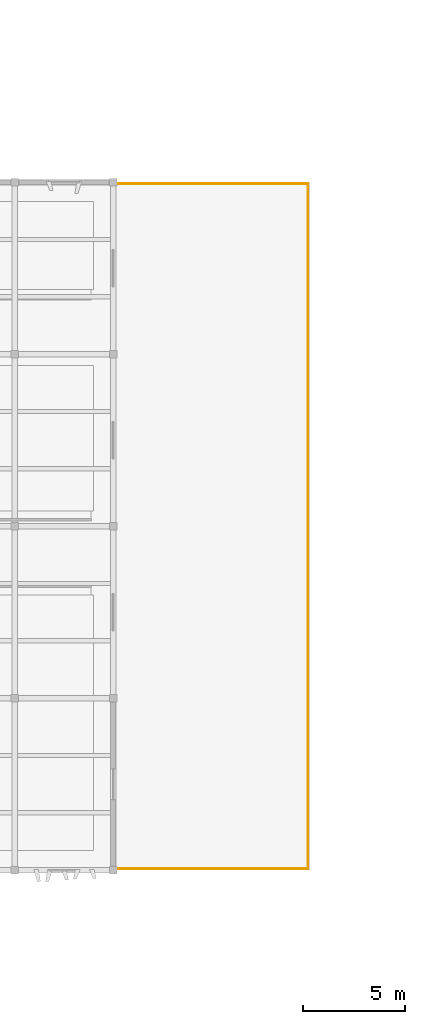
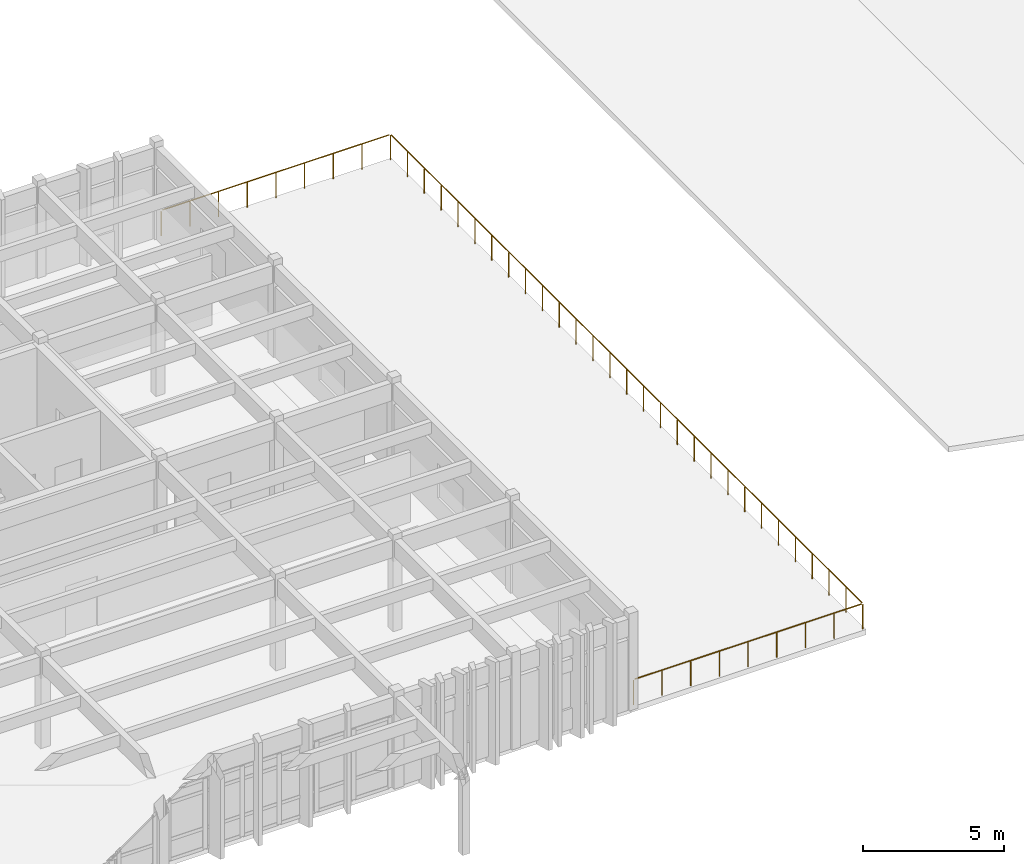
# One storey, part 42 of 42: 3 railings.
"""IFC4 building model written with IfcOpenShell, lengths in metres."""

from ifc_helpers import new_model, si_unit, direction, frame, origin, origin_2d, place, context, subcontext, project, spatial, circle, extrude, material, type_object, element, save


model = new_model("IFC4")

# Units and contexts
model_context = context("Model", 3, precision=1e-05, world=origin(), true_north=direction((0.0, 1.0)))
body_context = subcontext(model_context, "Body", "Model", "MODEL_VIEW")
ifc_project = project(units=[si_unit("LENGTHUNIT", "METRE"), si_unit("AREAUNIT", "SQUARE_METRE"), si_unit("VOLUMEUNIT", "CUBIC_METRE"), si_unit("PLANEANGLEUNIT", "RADIAN"), si_unit("MASSUNIT", "GRAM", prefix="KILO")], contexts=[model_context])

# Site, building, storey
site_placement = place(None, origin())
site = spatial("IfcSite", under=ifc_project, at=site_placement, CompositionType="ELEMENT")
building_placement = place(site_placement, origin())
building = spatial("IfcBuilding", under=site, at=building_placement, Name="Kolvemor Railside Polytechnic", CompositionType="ELEMENT")
storey_placement = place(building_placement, frame((0.0, 0.0, 14.39990234375)))
storey = spatial("IfcBuildingStorey", under=building, at=storey_placement, Name="L03", CompositionType="ELEMENT", Elevation=14.39990234375)

# Railings
ifc_material = material(Name="AISI 316 marine stainless-steel balustrade guard", Category="steel")
railing_type = type_object("IfcRailingType", Name="RLG-GUARD-1120", PredefinedType="BALUSTRADE", material=ifc_material)
railing_1_placement = place(storey_placement, frame((124.93994140625, 4.8798828125, 0.0)))
element("IfcRailing", 1, at=railing_1_placement, inside=storey, type_object=railing_type, Name="Corner Study Terrace L03-E S Guard GR-021", PredefinedType="BALUSTRADE", context=body_context, shape_type="SweptSolid", body=[
    extrude(circle(Radius=0.02392578125, at=origin_2d()), frame((0.054931640625, 0.0, 1.09619140625), z_axis=(1.0, 0.0, 0.0), x_axis=(0.0, 1.0, 0.0)), (0.0, 0.0, 1.0), 9.27001953125),
    extrude(circle(Radius=0.02099609375, at=origin_2d()), origin(), (0.0, 0.0, 1.0), 1.05712890625),
    extrude(circle(Radius=0.02099609375, at=origin_2d()), frame((1.172607421875, 0.0, 0.0)), (0.0, 0.0, 1.0), 1.05712890625),
    extrude(circle(Radius=0.02099609375, at=origin_2d()), frame((2.344970703125, 0.0, 0.0)), (0.0, 0.0, 1.0), 1.05712890625),
    extrude(circle(Radius=0.02099609375, at=origin_2d()), frame((3.517578125, 0.0, 0.0)), (0.0, 0.0, 1.0), 1.05712890625),
    extrude(circle(Radius=0.02099609375, at=origin_2d()), frame((4.68994140625, 0.0, 0.0)), (0.0, 0.0, 1.0), 1.05712890625),
    extrude(circle(Radius=0.02099609375, at=origin_2d()), frame((5.862548828125, 0.0, 0.0)), (0.0, 0.0, 1.0), 1.05712890625),
    extrude(circle(Radius=0.02099609375, at=origin_2d()), frame((7.03515625, 0.0, 0.0)), (0.0, 0.0, 1.0), 1.05712890625),
    extrude(circle(Radius=0.02099609375, at=origin_2d()), frame((8.20751953125, 0.0, 0.0)), (0.0, 0.0, 1.0), 1.05712890625),
    extrude(circle(Radius=0.02099609375, at=origin_2d()), frame((9.380126953125, 0.0, 0.0)), (0.0, 0.0, 1.0), 1.05712890625),
])
railing_2_placement = place(storey_placement, frame((134.320068359375, 4.8798828125, 0.0)))
element("IfcRailing", 2, at=railing_2_placement, inside=storey, type_object=railing_type, Name="Corner Study Terrace L03-E E Guard GR-022", PredefinedType="BALUSTRADE", context=body_context, shape_type="SweptSolid", body=[
    extrude(circle(Radius=0.02392578125, at=origin_2d()), frame((0.0, 0.054931640625, 1.09619140625), z_axis=(0.0, 1.0, 0.0), x_axis=(-1.0, 0.0, 0.0)), (0.0, 0.0, 1.0), 33.330078125),
    extrude(circle(Radius=0.02099609375, at=origin_2d()), origin(), (0.0, 0.0, 1.0), 1.05712890625),
    extrude(circle(Radius=0.02099609375, at=origin_2d()), frame((0.0, 1.1943359375, 0.0)), (0.0, 0.0, 1.0), 1.05712890625),
    extrude(circle(Radius=0.02099609375, at=origin_2d()), frame((0.0, 2.388671875, 0.0)), (0.0, 0.0, 1.0), 1.05712890625),
    extrude(circle(Radius=0.02099609375, at=origin_2d()), frame((0.0, 3.582763671875, 0.0)), (0.0, 0.0, 1.0), 1.05712890625),
    extrude(circle(Radius=0.02099609375, at=origin_2d()), frame((0.0, 4.777099609375, 0.0)), (0.0, 0.0, 1.0), 1.05712890625),
    extrude(circle(Radius=0.02099609375, at=origin_2d()), frame((0.0, 5.971435546875, 0.0)), (0.0, 0.0, 1.0), 1.05712890625),
    extrude(circle(Radius=0.02099609375, at=origin_2d()), frame((0.0, 7.165771484375, 0.0)), (0.0, 0.0, 1.0), 1.05712890625),
    extrude(circle(Radius=0.02099609375, at=origin_2d()), frame((0.0, 8.360107421875, 0.0)), (0.0, 0.0, 1.0), 1.05712890625),
    extrude(circle(Radius=0.02099609375, at=origin_2d()), frame((0.0, 9.554443359375, 0.0)), (0.0, 0.0, 1.0), 1.05712890625),
    extrude(circle(Radius=0.02099609375, at=origin_2d()), frame((0.0, 10.74853515625, 0.0)), (0.0, 0.0, 1.0), 1.05712890625),
    extrude(circle(Radius=0.02099609375, at=origin_2d()), frame((0.0, 11.94287109375, 0.0)), (0.0, 0.0, 1.0), 1.05712890625),
    extrude(circle(Radius=0.02099609375, at=origin_2d()), frame((0.0, 13.13720703125, 0.0)), (0.0, 0.0, 1.0), 1.05712890625),
    extrude(circle(Radius=0.02099609375, at=origin_2d()), frame((0.0, 14.33154296875, 0.0)), (0.0, 0.0, 1.0), 1.05712890625),
    extrude(circle(Radius=0.02099609375, at=origin_2d()), frame((0.0, 15.52587890625, 0.0)), (0.0, 0.0, 1.0), 1.05712890625),
    extrude(circle(Radius=0.02099609375, at=origin_2d()), frame((0.0, 16.72021484375, 0.0)), (0.0, 0.0, 1.0), 1.05712890625),
    extrude(circle(Radius=0.02099609375, at=origin_2d()), frame((0.0, 17.914306640625, 0.0)), (0.0, 0.0, 1.0), 1.05712890625),
    extrude(circle(Radius=0.02099609375, at=origin_2d()), frame((0.0, 19.108642578125, 0.0)), (0.0, 0.0, 1.0), 1.05712890625),
    extrude(circle(Radius=0.02099609375, at=origin_2d()), frame((0.0, 20.302978515625, 0.0)), (0.0, 0.0, 1.0), 1.05712890625),
    extrude(circle(Radius=0.02099609375, at=origin_2d()), frame((0.0, 21.497314453125, 0.0)), (0.0, 0.0, 1.0), 1.05712890625),
    extrude(circle(Radius=0.02099609375, at=origin_2d()), frame((0.0, 22.691650390625, 0.0)), (0.0, 0.0, 1.0), 1.05712890625),
    extrude(circle(Radius=0.02099609375, at=origin_2d()), frame((0.0, 23.8857421875, 0.0)), (0.0, 0.0, 1.0), 1.05712890625),
    extrude(circle(Radius=0.02099609375, at=origin_2d()), frame((0.0, 25.080078125, 0.0)), (0.0, 0.0, 1.0), 1.05712890625),
    extrude(circle(Radius=0.02099609375, at=origin_2d()), frame((0.0, 26.2744140625, 0.0)), (0.0, 0.0, 1.0), 1.05712890625),
    extrude(circle(Radius=0.02099609375, at=origin_2d()), frame((0.0, 27.46875, 0.0)), (0.0, 0.0, 1.0), 1.05712890625),
    extrude(circle(Radius=0.02099609375, at=origin_2d()), frame((0.0, 28.6630859375, 0.0)), (0.0, 0.0, 1.0), 1.05712890625),
    extrude(circle(Radius=0.02099609375, at=origin_2d()), frame((0.0, 29.857421875, 0.0)), (0.0, 0.0, 1.0), 1.05712890625),
    extrude(circle(Radius=0.02099609375, at=origin_2d()), frame((0.0, 31.051513671875, 0.0)), (0.0, 0.0, 1.0), 1.05712890625),
    extrude(circle(Radius=0.02099609375, at=origin_2d()), frame((0.0, 32.245849609375, 0.0)), (0.0, 0.0, 1.0), 1.05712890625),
    extrude(circle(Radius=0.02099609375, at=origin_2d()), frame((0.0, 33.440185546875, 0.0)), (0.0, 0.0, 1.0), 1.05712890625),
])
railing_3_placement = place(storey_placement, frame((134.320068359375, 38.320068359375, 0.0)))
element("IfcRailing", 3, at=railing_3_placement, inside=storey, type_object=railing_type, Name="Corner Study Terrace L03-E N Guard GR-023", PredefinedType="BALUSTRADE", context=body_context, shape_type="SweptSolid", body=[
    extrude(circle(Radius=0.02392578125, at=origin_2d()), frame((-0.054931640625, 0.0, 1.09619140625), z_axis=(-1.0, 0.0, 0.0), x_axis=(0.0, -1.0, 0.0)), (0.0, 0.0, 1.0), 9.27001953125),
    extrude(circle(Radius=0.02099609375, at=origin_2d()), origin(), (0.0, 0.0, 1.0), 1.05712890625),
    extrude(circle(Radius=0.02099609375, at=origin_2d()), frame((-1.172607421875, 0.0, 0.0)), (0.0, 0.0, 1.0), 1.05712890625),
    extrude(circle(Radius=0.02099609375, at=origin_2d()), frame((-2.344970703125, 0.0, 0.0)), (0.0, 0.0, 1.0), 1.05712890625),
    extrude(circle(Radius=0.02099609375, at=origin_2d()), frame((-3.517578125, 0.0, 0.0)), (0.0, 0.0, 1.0), 1.05712890625),
    extrude(circle(Radius=0.02099609375, at=origin_2d()), frame((-4.68994140625, 0.0, 0.0)), (0.0, 0.0, 1.0), 1.05712890625),
    extrude(circle(Radius=0.02099609375, at=origin_2d()), frame((-5.862548828125, 0.0, 0.0)), (0.0, 0.0, 1.0), 1.05712890625),
    extrude(circle(Radius=0.02099609375, at=origin_2d()), frame((-7.03515625, 0.0, 0.0)), (0.0, 0.0, 1.0), 1.05712890625),
    extrude(circle(Radius=0.02099609375, at=origin_2d()), frame((-8.20751953125, 0.0, 0.0)), (0.0, 0.0, 1.0), 1.05712890625),
    extrude(circle(Radius=0.02099609375, at=origin_2d()), frame((-9.380126953125, 0.0, 0.0)), (0.0, 0.0, 1.0), 1.05712890625),
])

save(model, "model.ifc")
